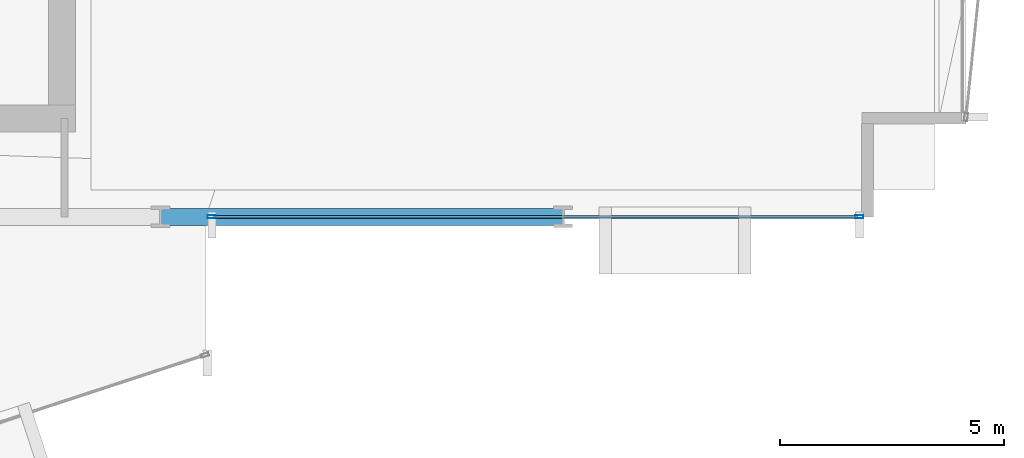
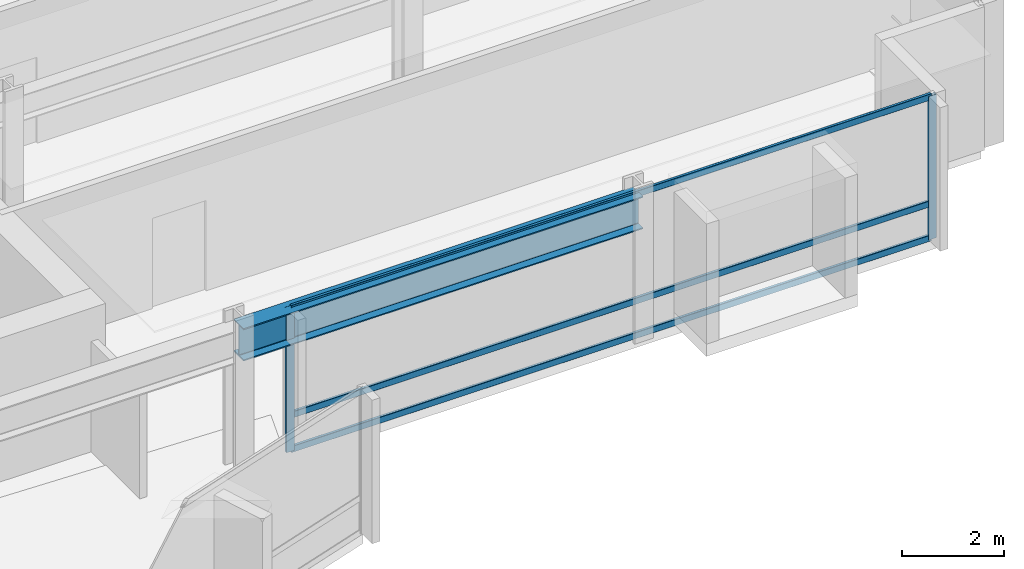
# One storey, part 12 of 34: 5 members, 1 beam, 1 element without a shape of its own.
"""IFC4 building model written with IfcOpenShell, lengths in metres."""

from ifc_helpers import new_model, si_unit, direction, frame, origin, origin_2d, place, context, subcontext, project, spatial, hollow_rectangle, i_section, extrude, material, layer, layer_set, material_profile, profile_set, type_object, element, aggregate, save


model = new_model("IFC4")

# Units and contexts
model_context = context("Model", 3, precision=1e-05, world=origin(), true_north=direction((0.0, 1.0)))
body_context = subcontext(model_context, "Body", "Model", "MODEL_VIEW")
ifc_project = project(units=[si_unit("LENGTHUNIT", "METRE"), si_unit("AREAUNIT", "SQUARE_METRE"), si_unit("VOLUMEUNIT", "CUBIC_METRE"), si_unit("PLANEANGLEUNIT", "RADIAN"), si_unit("MASSUNIT", "GRAM", prefix="KILO")], contexts=[model_context])

# Site, building, storey
site_placement = place(None, origin())
site = spatial("IfcSite", under=ifc_project, at=site_placement, CompositionType="ELEMENT")
building_placement = place(site_placement, origin())
building = spatial("IfcBuilding", under=site, at=building_placement, Name="Solvaryn Broadcast Tower", CompositionType="ELEMENT")
storey_placement = place(building_placement, frame((0.0, 0.0, 69.300048828125)))
storey = spatial("IfcBuildingStorey", under=building, at=storey_placement, Name="L16", CompositionType="ELEMENT", Elevation=69.300048828125)

# Beam
ifc_material_1 = material(Name="Steel ASTM A992 Grade 50", Category="steel")
ifc_material_profile_1 = material_profile(ifc_material_1, i_section(OverallWidth=0.381103515625, OverallDepth=0.77294921875, WebThickness=0.0166015625, FlangeThickness=0.027099609375, FilletRadius=0.01806640625, at=origin_2d()))
ifc_profile_set_1 = profile_set([ifc_material_profile_1], Name="Steel ASTM A992 Grade 50")
beam_type = type_object("IfcBeamType", Name="BM-SP1-W30X173", PredefinedType="USERDEFINED", material=ifc_profile_set_1)
beam_placement = place(storey_placement, frame((45.0, 9.0, 3.033447265625), z_axis=(1.0, 0.0, 0.0), x_axis=(0.0, 1.0, 0.0)))
element("IfcBeam", 1, at=beam_placement, inside=storey, type_object=beam_type, Name="L16 Spandrel Beam X (45-54 @ Y=9)", ObjectType="SPANDREL", PredefinedType="USERDEFINED", context=body_context, shape_type="SweptSolid", body=[
    extrude(i_section(OverallWidth=0.381103515625, OverallDepth=0.77294921875, WebThickness=0.0166015625, FlangeThickness=0.027099609375, FilletRadius=0.01806640625, at=origin_2d()), origin(), (0.0, 0.0, 1.0), 9.0),
])

# Curtain wall, members
ifc_material_2 = material(Name="Aluminium and Terracotta Unitised Curtain Wall", Category="masonry")
ifc_layer = layer(ifc_material_2, 0.199951171875)
ifc_layer_set = layer_set([ifc_layer], Name="CW-SYS2-LOWMID")
curtain_wall_type = type_object("IfcCurtainWallType", Name="CW-SYS2-LOWMID", PredefinedType="NOTDEFINED", material=ifc_layer_set)
curtain_wall_placement = place(storey_placement, origin())
curtain_wall = element("IfcCurtainWall", 2, at=curtain_wall_placement, inside=storey, type_object=curtain_wall_type, Name="L16 Curtain Wall S2", PredefinedType="NOTDEFINED")
ifc_material_3 = material(Name="Anodised Aluminium 6063-T6", Category="aluminium")
ifc_material_profile_2 = material_profile(ifc_material_3, hollow_rectangle(XDim=0.074951171875, YDim=0.179931640625, WallThickness=0.00390625, InnerFilletRadius=0.00390625, OuterFilletRadius=0.008056640625, at=origin_2d()))
ifc_profile_set_2 = profile_set([ifc_material_profile_2], Name="Anodised Aluminium 6063-T6")
member_type_1 = type_object("IfcMemberType", Name="CW-MUL-180", PredefinedType="MULLION", material=ifc_profile_set_2)
member_1_placement = place(storey_placement, frame((46.14599609375, 9.0, 0.0), z_axis=(0.0, 0.0, 1.0), x_axis=(0.0, 1.0, 0.0)))
member_1 = element("IfcMember", 3, at=member_1_placement, type_object=member_type_1, Name="CWS2 mullion 1", PredefinedType="MULLION", context=body_context, shape_type="SweptSolid", body=[
    extrude(hollow_rectangle(XDim=0.074951171875, YDim=0.179931640625, WallThickness=0.00390625, InnerFilletRadius=0.00390625, OuterFilletRadius=0.008056640625, at=origin_2d()), origin(), (0.0, 0.0, 1.0), 3.419921875),
])
member_2_placement = place(storey_placement, frame((60.6201171875, 9.0, 0.0), z_axis=(0.0, 0.0, 1.0), x_axis=(0.0, 1.0, 0.0)))
member_2 = element("IfcMember", 4, at=member_2_placement, type_object=member_type_1, Name="CWS2 mullion 2", PredefinedType="MULLION", context=body_context, shape_type="SweptSolid", body=[
    extrude(hollow_rectangle(XDim=0.074951171875, YDim=0.179931640625, WallThickness=0.00390625, InnerFilletRadius=0.00390625, OuterFilletRadius=0.008056640625, at=origin_2d()), origin(), (0.0, 0.0, 1.0), 3.419921875),
])
ifc_material_4 = material(Name="Anodised Aluminium 6063-T6", Category="aluminium")
ifc_material_profile_3 = material_profile(ifc_material_4, hollow_rectangle(XDim=0.06494140625, YDim=0.14990234375, WallThickness=0.00390625, InnerFilletRadius=0.00390625, OuterFilletRadius=0.008056640625, at=origin_2d()))
ifc_profile_set_3 = profile_set([ifc_material_profile_3], Name="Anodised Aluminium 6063-T6")
member_type_2 = type_object("IfcMemberType", Name="CW-TRN-150", PredefinedType="USERDEFINED", material=ifc_profile_set_3)
member_3_placement = place(storey_placement, frame((46.176025390625, 9.0, 0.030029296875), z_axis=(1.0, 0.0, 0.0), x_axis=(0.0, 1.0, 0.0)))
member_3 = element("IfcMember", 5, at=member_3_placement, type_object=member_type_2, Name="CWS2 transom 1.1", ObjectType="TRANSOM", PredefinedType="USERDEFINED", context=body_context, shape_type="SweptSolid", body=[
    extrude(hollow_rectangle(XDim=0.06494140625, YDim=0.14990234375, WallThickness=0.00390625, InnerFilletRadius=0.00390625, OuterFilletRadius=0.008056640625, at=origin_2d()), origin(), (0.0, 0.0, 1.0), 14.4140625),
])
member_4_placement = place(storey_placement, frame((46.176025390625, 9.0, 0.849853515625), z_axis=(1.0, 0.0, 0.0), x_axis=(0.0, 1.0, 0.0)))
member_4 = element("IfcMember", 6, at=member_4_placement, type_object=member_type_2, Name="CWS2 transom 1.2", ObjectType="TRANSOM", PredefinedType="USERDEFINED", context=body_context, shape_type="SweptSolid", body=[
    extrude(hollow_rectangle(XDim=0.06494140625, YDim=0.14990234375, WallThickness=0.00390625, InnerFilletRadius=0.00390625, OuterFilletRadius=0.008056640625, at=origin_2d()), origin(), (0.0, 0.0, 1.0), 14.4140625),
])
member_5_placement = place(storey_placement, frame((46.176025390625, 9.0, 3.389892578125), z_axis=(1.0, 0.0, 0.0), x_axis=(0.0, 1.0, 0.0)))
member_5 = element("IfcMember", 7, at=member_5_placement, type_object=member_type_2, Name="CWS2 transom 1.3", ObjectType="TRANSOM", PredefinedType="USERDEFINED", context=body_context, shape_type="SweptSolid", body=[
    extrude(hollow_rectangle(XDim=0.06494140625, YDim=0.14990234375, WallThickness=0.00390625, InnerFilletRadius=0.00390625, OuterFilletRadius=0.008056640625, at=origin_2d()), origin(), (0.0, 0.0, 1.0), 14.4140625),
])
aggregate(curtain_wall, [member_1, member_2, member_3, member_4, member_5])

save(model, "model.ifc")
